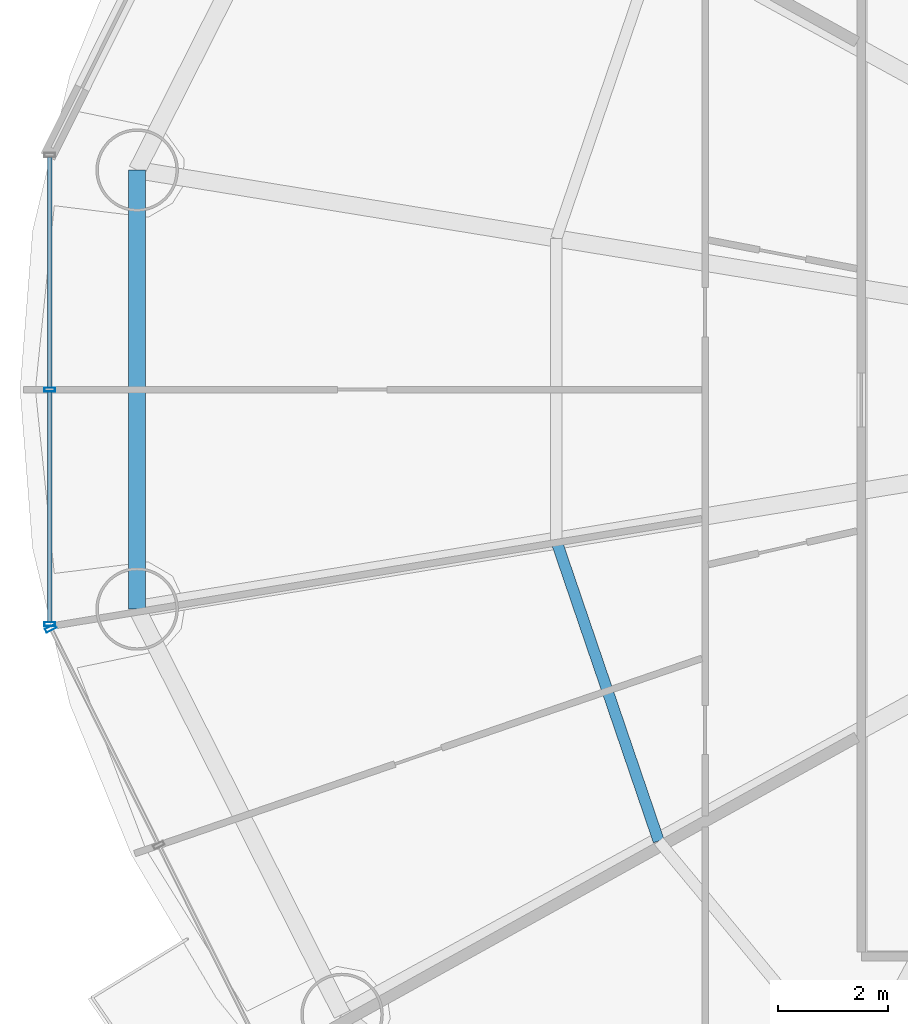
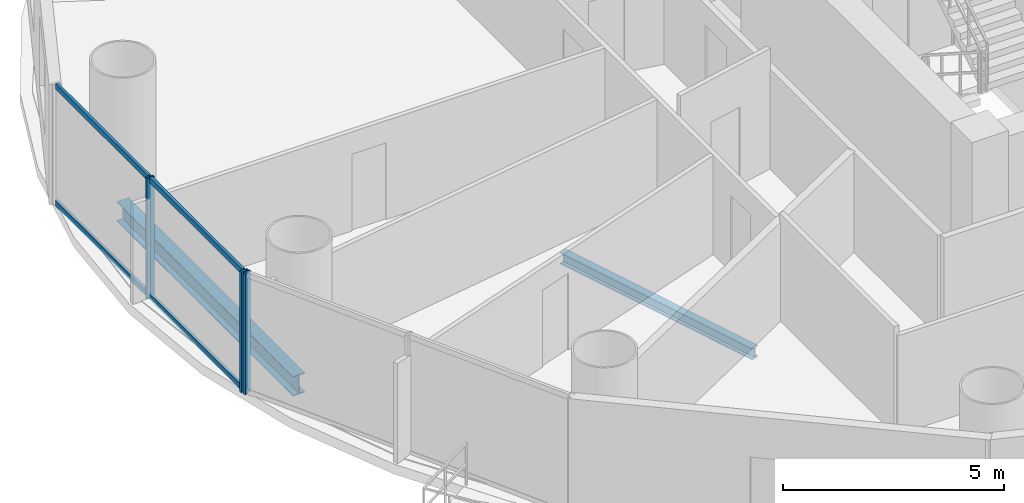
# One storey, part 6 of 28: 7 members, 2 beams, 2 elements without a shape of their own.
"""IFC4 building model written with IfcOpenShell, lengths in metres."""

from ifc_helpers import new_model, si_unit, direction, frame, origin, origin_2d, place, context, subcontext, project, spatial, hollow_rectangle, i_section, extrude, source, transform, mapped, material, material_profile, profile_set, type_object, element, aggregate, save


model = new_model("IFC4")

# Units and contexts
model_context = context("Model", 3, precision=1e-05, world=origin(), true_north=direction((-0.2419218956, 0.970295726276)))
body_context = subcontext(model_context, "Body", "Model", "MODEL_VIEW")
ifc_project = project(units=[si_unit("LENGTHUNIT", "METRE"), si_unit("AREAUNIT", "SQUARE_METRE"), si_unit("VOLUMEUNIT", "CUBIC_METRE"), si_unit("PLANEANGLEUNIT", "RADIAN"), si_unit("MASSUNIT", "GRAM", prefix="KILO")], contexts=[model_context])

# Site, building, storey
site_placement = place(None, origin())
site = spatial("IfcSite", under=ifc_project, at=site_placement, CompositionType="ELEMENT")
building_placement = place(site_placement, origin())
building = spatial("IfcBuilding", under=site, at=building_placement, Name="Cobrevalo Terracotta Tower", CompositionType="ELEMENT")
storey_placement = place(building_placement, frame((0.0, 0.0, 108.60009765625)))
storey = spatial("IfcBuildingStorey", under=building, at=storey_placement, Name="L28", CompositionType="ELEMENT", Elevation=108.60009765625)

# Beams
ifc_material_1 = material(Name="Steel S355", Category="steel")
ifc_material_profile_1 = material_profile(ifc_material_1, i_section(OverallWidth=0.2041015625, OverallDepth=0.305908203125, WebThickness=0.008544921875, FlangeThickness=0.0146484375, at=origin_2d()), Name="W 310x67")
ifc_profile_set_1 = profile_set([ifc_material_profile_1], Name="Steel S355")
beam_type_1 = type_object("IfcBeamType", Name="Structural Joist W 310x67 (Steel S355)", PredefinedType="JOIST", material=ifc_profile_set_1)
beam_1_placement = place(storey_placement, frame((21.149658203125, 24.052734375, -0.427978515625), z_axis=(0.322846227919, -0.946451431991, 0.0), x_axis=(0.946451431991, 0.322846227919, 0.0)))
element("IfcBeam", 1, at=beam_1_placement, inside=storey, type_object=beam_type_1, Name="L28 circumferential secondary floor joist 09", PredefinedType="JOIST", context=body_context, shape_type="SweptSolid", body=[
    extrude(i_section(OverallWidth=0.2041015625, OverallDepth=0.305908203125, WebThickness=0.008544921875, FlangeThickness=0.0146484375, at=origin_2d()), origin(), (0.0, 0.0, 1.0), 5.77001953125),
])
ifc_material_profile_2 = material_profile(ifc_material_1, i_section(OverallWidth=0.31201171875, OverallDepth=0.54296875, WebThickness=0.0126953125, FlangeThickness=0.020263671875, at=origin_2d()), Name="W 530x150")
ifc_profile_set_2 = profile_set([ifc_material_profile_2], Name="Steel S355")
beam_type_2 = type_object("IfcBeamType", Name="Structural Spandrel W 530x150 (Steel S355)", PredefinedType="SPANDREL", material=ifc_profile_set_2)
beam_2_placement = place(storey_placement, frame((13.529296875, 30.78955078125, -0.546630859375), z_axis=(0.0, -1.0, 0.0), x_axis=(1.0, 0.0, 0.0)))
element("IfcBeam", 2, at=beam_2_placement, inside=storey, type_object=beam_type_2, Name="L28 perimeter ring spandrel 08", PredefinedType="SPANDREL", context=body_context, shape_type="SweptSolid", body=[
    extrude(i_section(OverallWidth=0.31201171875, OverallDepth=0.54296875, WebThickness=0.0126953125, FlangeThickness=0.020263671875, at=origin_2d()), origin(), (0.0, 0.0, 1.0), 7.979248046875),
])

# Curtain wall, members
ifc_material_2 = material(Name="Anodized aluminium", Category="aluminium")
curtain_wall_type = type_object("IfcCurtainWallType", Name="Lower-tower unitised acoustic low-E curtain wall CW-U1", PredefinedType="NOTDEFINED", material=ifc_material_2)
curtain_wall_1_placement = place(storey_placement, origin())
curtain_wall_1 = element("IfcCurtainWall", 3, at=curtain_wall_1_placement, inside=storey, type_object=curtain_wall_type, Name="L28 curtain wall CW-L28-S08", PredefinedType="NOTDEFINED")
ifc_material_profile_3 = material_profile(ifc_material_2, hollow_rectangle(XDim=0.074951171875, YDim=0.14990234375, WallThickness=0.00439453125, at=origin_2d()), Name="CWT 75x150")
ifc_profile_set_3 = profile_set([ifc_material_profile_3], Name="Anodized aluminium")
member_type_1 = type_object("IfcMemberType", Name="Tower unitised aluminium transom 75x150", PredefinedType="USERDEFINED", material=ifc_profile_set_3)
shared_shape_1 = source(origin(), body_context, "Body", "SweptSolid", [
    extrude(hollow_rectangle(XDim=0.074951171875, YDim=0.14990234375, WallThickness=0.00439453125, at=origin_2d()), origin(), (0.0, 0.0, 1.0), 4.185546875),
])
member_1_placement = place(storey_placement, frame((11.9404296875, 31.025634765625, 0.0498046875), z_axis=(0.0, -1.0, 0.0), x_axis=(1.0, 0.0, 0.0)))
member_1 = element("IfcMember", 4, at=member_1_placement, type_object=member_type_1, Name="CW-L28-S08 transom B01-T1", ObjectType="TRANSOM", PredefinedType="USERDEFINED", context=body_context, shape_type="MappedRepresentation", body=[
    mapped(shared_shape_1, transform((0.0, 0.0, 0.0), scale=1.0)),
])
member_2_placement = place(storey_placement, frame((11.9404296875, 31.025634765625, 3.27490234375), z_axis=(0.0, -1.0, 0.0), x_axis=(1.0, 0.0, 0.0)))
member_2 = element("IfcMember", 5, at=member_2_placement, type_object=member_type_1, Name="CW-L28-S08 transom B01-T2", ObjectType="TRANSOM", PredefinedType="USERDEFINED", context=body_context, shape_type="MappedRepresentation", body=[
    mapped(shared_shape_1, transform((0.0, 0.0, 0.0), scale=1.0)),
])
member_3_placement = place(storey_placement, frame((11.9404296875, 26.760009765625, 0.0498046875), z_axis=(0.0, -1.0, 0.0), x_axis=(1.0, 0.0, 0.0)))
member_3 = element("IfcMember", 6, at=member_3_placement, type_object=member_type_1, Name="CW-L28-S08 transom B02-T1", ObjectType="TRANSOM", PredefinedType="USERDEFINED", context=body_context, shape_type="MappedRepresentation", body=[
    mapped(shared_shape_1, transform((0.0, 0.0, 0.0), scale=1.0)),
])
member_4_placement = place(storey_placement, frame((11.9404296875, 26.760009765625, 3.27490234375), z_axis=(0.0, -1.0, 0.0), x_axis=(1.0, 0.0, 0.0)))
member_4 = element("IfcMember", 7, at=member_4_placement, type_object=member_type_1, Name="CW-L28-S08 transom B02-T2", ObjectType="TRANSOM", PredefinedType="USERDEFINED", context=body_context, shape_type="MappedRepresentation", body=[
    mapped(shared_shape_1, transform((0.0, 0.0, 0.0), scale=1.0)),
])
ifc_material_profile_4 = material_profile(ifc_material_2, hollow_rectangle(XDim=0.074951171875, YDim=0.199951171875, WallThickness=0.0048828125, at=origin_2d()), Name="CWM 75x200")
ifc_profile_set_4 = profile_set([ifc_material_profile_4], Name="Anodized aluminium")
member_type_2 = type_object("IfcMemberType", Name="Lower/mid tower unitised mullion 75x200", PredefinedType="MULLION", material=ifc_profile_set_4)
shared_shape_2 = source(origin(), body_context, "Body", "SweptSolid", [
    extrude(hollow_rectangle(XDim=0.074951171875, YDim=0.199951171875, WallThickness=0.0048828125, at=origin_2d()), origin(), (0.0, 0.0, 1.0), 3.324951171875),
])
member_5_placement = place(storey_placement, frame((11.9404296875, 26.800048828125, 0.0), z_axis=(0.0, 0.0, 1.0), x_axis=(0.0, -1.0, 0.0)))
member_5 = element("IfcMember", 8, at=member_5_placement, type_object=member_type_2, Name="CW-L28-S08 vertical mullion 02", PredefinedType="MULLION", context=body_context, shape_type="MappedRepresentation", body=[
    mapped(shared_shape_2, transform((0.0, 0.0, 0.0), scale=1.0)),
])
member_6_placement = place(storey_placement, frame((11.9404296875, 22.534423828125, 0.0), z_axis=(0.0, 0.0, 1.0), x_axis=(0.0, -1.0, 0.0)))
member_6 = element("IfcMember", 9, at=member_6_placement, type_object=member_type_2, Name="CW-L28-S08 vertical mullion 03", PredefinedType="MULLION", context=body_context, shape_type="MappedRepresentation", body=[
    mapped(shared_shape_2, transform((0.0, 0.0, 0.0), scale=1.0)),
])
aggregate(curtain_wall_1, [member_5, member_6, member_1, member_2, member_3, member_4])

# Curtain wall, member
curtain_wall_2_placement = place(storey_placement, origin())
curtain_wall_2 = element("IfcCurtainWall", 10, at=curtain_wall_2_placement, inside=storey, type_object=curtain_wall_type, Name="L28 curtain wall CW-L28-S09", PredefinedType="NOTDEFINED")
member_7_placement = place(storey_placement, frame((11.95849609375, 22.45849609375, 0.0), z_axis=(0.0, 0.0, 1.0), x_axis=(0.446260290227, -0.894903208937, 0.0)))
member_7 = element("IfcMember", 11, at=member_7_placement, type_object=member_type_2, Name="CW-L28-S09 vertical mullion 01", PredefinedType="MULLION", context=body_context, shape_type="MappedRepresentation", body=[
    mapped(shared_shape_2, transform((0.0, 0.0, 0.0), scale=1.0)),
])
aggregate(curtain_wall_2, [member_7])

save(model, "model.ifc")
